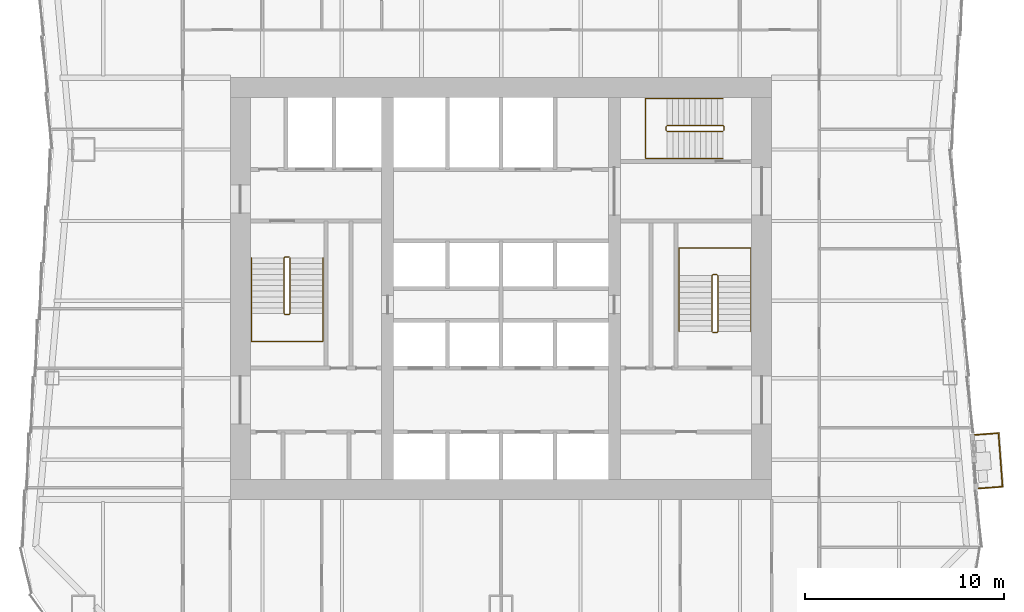
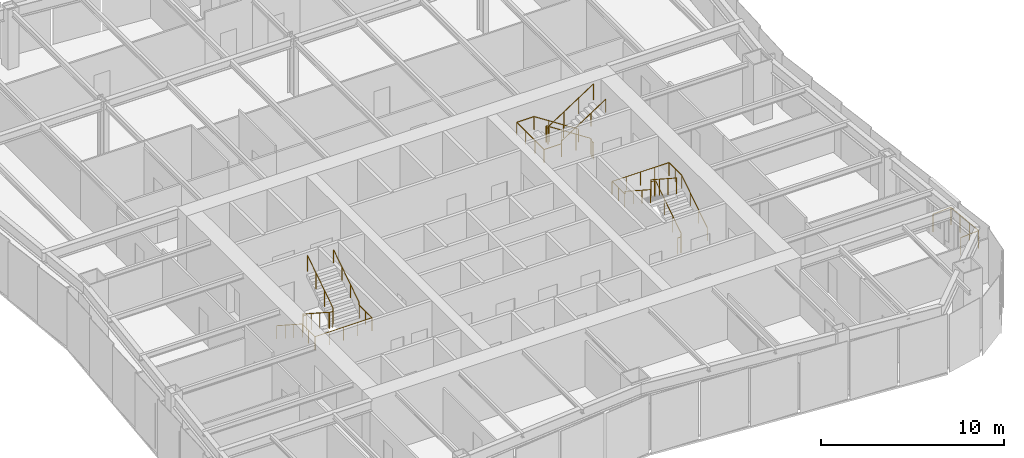
# One storey, part 8 of 9: 7 railings.
"""IFC4 building model written with IfcOpenShell, lengths in metres."""

from ifc_helpers import new_model, si_unit, direction, frame, origin, origin_2d, place, context, subcontext, project, spatial, circle, extrude, material, type_object, element, save


model = new_model("IFC4")

# Units and contexts
model_context = context("Model", 3, precision=1e-05, world=origin(), true_north=direction((0.0, 1.0)))
body_context = subcontext(model_context, "Body", "Model", "MODEL_VIEW")
ifc_project = project(units=[si_unit("LENGTHUNIT", "METRE"), si_unit("AREAUNIT", "SQUARE_METRE"), si_unit("VOLUMEUNIT", "CUBIC_METRE"), si_unit("PLANEANGLEUNIT", "RADIAN"), si_unit("MASSUNIT", "GRAM", prefix="KILO")], contexts=[model_context])

# Site, building, storey
site_placement = place(None, origin())
site = spatial("IfcSite", under=ifc_project, at=site_placement, CompositionType="ELEMENT")
building_placement = place(site_placement, origin())
building = spatial("IfcBuilding", under=site, at=building_placement, Name="Verdant Reach Tower", CompositionType="ELEMENT")
storey_placement = place(building_placement, frame((0.0, 0.0, 130.0)))
storey = spatial("IfcBuildingStorey", under=building, at=storey_placement, Name="L29", CompositionType="ELEMENT", Elevation=130.0)

# Railings
ifc_material_1 = material(Name="Stainless steel", Category="steel")
railing_type_1 = type_object("IfcRailingType", Name="CO-GUARD", PredefinedType="GUARDRAIL", material=ifc_material_1)
railing_1_placement = place(storey_placement, frame((-10.64990234375, 29.60009765625, 0.0)))
element("IfcRailing", 1, at=railing_1_placement, inside=storey, type_object=railing_type_1, Name="L29 ST-1 stair guard 1", PredefinedType="GUARDRAIL", context=body_context, shape_type="SweptSolid", body=[
    extrude(circle(Radius=0.02392578125, at=origin_2d()), frame((0.0, 0.0, 1.076171875), z_axis=(-1.0, 0.0, 0.0), x_axis=(0.0, -1.0, 0.0)), (0.0, 0.0, 1.0), 0.2001953125),
    extrude(circle(Radius=0.02392578125, at=origin_2d()), frame((-0.2001953125, 0.0, 1.076171875), z_axis=(-0.25526617399, -0.256517478764, 0.932222056972), x_axis=(0.708833529934, -0.705375805398, 0.0)), (0.0, 0.0, 1.0), 0.195068359375),
    extrude(circle(Radius=0.02392578125, at=origin_2d()), frame((-0.25, -0.050048828125, 1.2578125), z_axis=(0.0, -0.838705829183, 0.544584733623), x_axis=(1.0, 0.0, 0.0)), (0.0, 0.0, 1.0), 3.338623046875),
    extrude(circle(Radius=0.02392578125, at=origin_2d()), frame((-0.25, -2.85009765625, 3.076171875), z_axis=(0.705375805398, -0.708833529934, 0.0), x_axis=(0.708833529934, 0.705375805398, 0.0)), (0.0, 0.0, 1.0), 0.070556640625),
    extrude(circle(Radius=0.02392578125, at=origin_2d()), frame((-0.2001953125, -2.900146484375, 3.076171875), z_axis=(1.0, 0.0, 0.0), x_axis=(0.0, 1.0, 0.0)), (0.0, 0.0, 1.0), 0.2001953125),
    extrude(circle(Radius=0.02392578125, at=origin_2d()), frame((0.0, -2.900146484375, 3.076171875), z_axis=(0.25526617399, 0.256517478764, 0.932222056972), x_axis=(-0.708833529934, 0.705375805398, 0.0)), (0.0, 0.0, 1.0), 0.195068359375),
    extrude(circle(Radius=0.02392578125, at=origin_2d()), frame((0.0498046875, -2.85009765625, 3.2578125), z_axis=(0.0, 0.838705829183, 0.544584733623), x_axis=(-1.0, 0.0, 0.0)), (0.0, 0.0, 1.0), 3.338623046875),
    extrude(circle(Radius=0.02099609375, at=origin_2d()), origin(), (0.0, 0.0, 1.0), 1.052001953125),
    extrude(circle(Radius=0.02099609375, at=origin_2d()), frame((-0.2001953125, 0.0, 0.0)), (0.0, 0.0, 1.0), 1.052001953125),
    extrude(circle(Radius=0.02099609375, at=origin_2d()), frame((-0.25, -0.050048828125, 0.181884765625)), (0.0, 0.0, 1.0), 1.052001953125),
    extrude(circle(Radius=0.02099609375, at=origin_2d()), frame((-0.25, -0.9833984375, 0.787841796875)), (0.0, 0.0, 1.0), 1.052001953125),
    extrude(circle(Radius=0.02099609375, at=origin_2d()), frame((-0.25, -1.916748046875, 1.39404296875)), (0.0, 0.0, 1.0), 1.052001953125),
    extrude(circle(Radius=0.02099609375, at=origin_2d()), frame((-0.25, -2.85009765625, 2.0)), (0.0, 0.0, 1.0), 1.052001953125),
    extrude(circle(Radius=0.02099609375, at=origin_2d()), frame((-0.2001953125, -2.900146484375, 2.0)), (0.0, 0.0, 1.0), 1.052001953125),
    extrude(circle(Radius=0.02099609375, at=origin_2d()), frame((0.0, -2.900146484375, 2.0)), (0.0, 0.0, 1.0), 1.052001953125),
    extrude(circle(Radius=0.02099609375, at=origin_2d()), frame((0.0498046875, -2.85009765625, 2.181884765625)), (0.0, 0.0, 1.0), 1.052001953125),
    extrude(circle(Radius=0.02099609375, at=origin_2d()), frame((0.0498046875, -1.916748046875, 2.787841796875)), (0.0, 0.0, 1.0), 1.052001953125),
    extrude(circle(Radius=0.02099609375, at=origin_2d()), frame((0.0498046875, -0.9833984375, 3.39404296875)), (0.0, 0.0, 1.0), 1.052001953125),
    extrude(circle(Radius=0.02099609375, at=origin_2d()), frame((0.0498046875, -0.050048828125, 4.0)), (0.0, 0.0, 1.0), 1.052001953125),
])
railing_2_placement = place(storey_placement, frame((10.64990234375, 25.800048828125, 0.0)))
element("IfcRailing", 2, at=railing_2_placement, inside=storey, type_object=railing_type_1, Name="L29 ST-2 stair guard 1", PredefinedType="GUARDRAIL", context=body_context, shape_type="SweptSolid", body=[
    extrude(circle(Radius=0.02392578125, at=origin_2d()), frame((0.0, 0.0, 1.076171875), z_axis=(1.0, 0.0, 0.0), x_axis=(0.0, 1.0, 0.0)), (0.0, 0.0, 1.0), 0.2001953125),
    extrude(circle(Radius=0.02392578125, at=origin_2d()), frame((0.2001953125, 0.0, 1.076171875), z_axis=(0.25526617399, 0.256517478764, 0.932222056972), x_axis=(-0.708833529934, 0.705375805398, 0.0)), (0.0, 0.0, 1.0), 0.195068359375),
    extrude(circle(Radius=0.02392578125, at=origin_2d()), frame((0.25, 0.050048828125, 1.2578125), z_axis=(0.0, 0.83868413941, 0.544618136222), x_axis=(-1.0, 0.0, 0.0)), (0.0, 0.0, 1.0), 3.33837890625),
    extrude(circle(Radius=0.02392578125, at=origin_2d()), frame((0.25, 2.849853515625, 3.076171875), z_axis=(-0.705375805398, 0.708833529934, 0.0), x_axis=(-0.708833529934, -0.705375805398, 0.0)), (0.0, 0.0, 1.0), 0.070556640625),
    extrude(circle(Radius=0.02392578125, at=origin_2d()), frame((0.2001953125, 2.89990234375, 3.076171875), z_axis=(-1.0, 0.0, 0.0), x_axis=(0.0, -1.0, 0.0)), (0.0, 0.0, 1.0), 0.2001953125),
    extrude(circle(Radius=0.02392578125, at=origin_2d()), frame((0.0, 2.89990234375, 3.076171875), z_axis=(-0.25526617399, -0.256517478764, 0.932222056972), x_axis=(0.708833529934, -0.705375805398, 0.0)), (0.0, 0.0, 1.0), 0.195068359375),
    extrude(circle(Radius=0.02392578125, at=origin_2d()), frame((-0.0498046875, 2.849853515625, 3.2578125), z_axis=(0.0, -0.83868413941, 0.544618136222), x_axis=(1.0, 0.0, 0.0)), (0.0, 0.0, 1.0), 3.33837890625),
    extrude(circle(Radius=0.02099609375, at=origin_2d()), origin(), (0.0, 0.0, 1.0), 1.052001953125),
    extrude(circle(Radius=0.02099609375, at=origin_2d()), frame((0.2001953125, 0.0, 0.0)), (0.0, 0.0, 1.0), 1.052001953125),
    extrude(circle(Radius=0.02099609375, at=origin_2d()), frame((0.25, 0.050048828125, 0.181884765625)), (0.0, 0.0, 1.0), 1.052001953125),
    extrude(circle(Radius=0.02099609375, at=origin_2d()), frame((0.25, 0.9833984375, 0.787841796875)), (0.0, 0.0, 1.0), 1.052001953125),
    extrude(circle(Radius=0.02099609375, at=origin_2d()), frame((0.25, 1.91650390625, 1.39404296875)), (0.0, 0.0, 1.0), 1.052001953125),
    extrude(circle(Radius=0.02099609375, at=origin_2d()), frame((0.25, 2.849853515625, 2.0)), (0.0, 0.0, 1.0), 1.052001953125),
    extrude(circle(Radius=0.02099609375, at=origin_2d()), frame((0.2001953125, 2.89990234375, 2.0)), (0.0, 0.0, 1.0), 1.052001953125),
    extrude(circle(Radius=0.02099609375, at=origin_2d()), frame((0.0, 2.89990234375, 2.0)), (0.0, 0.0, 1.0), 1.052001953125),
    extrude(circle(Radius=0.02099609375, at=origin_2d()), frame((-0.0498046875, 2.849853515625, 2.181884765625)), (0.0, 0.0, 1.0), 1.052001953125),
    extrude(circle(Radius=0.02099609375, at=origin_2d()), frame((-0.0498046875, 1.91650390625, 2.787841796875)), (0.0, 0.0, 1.0), 1.052001953125),
    extrude(circle(Radius=0.02099609375, at=origin_2d()), frame((-0.0498046875, 0.9833984375, 3.39404296875)), (0.0, 0.0, 1.0), 1.052001953125),
    extrude(circle(Radius=0.02099609375, at=origin_2d()), frame((-0.0498046875, 0.050048828125, 4.0)), (0.0, 0.0, 1.0), 1.052001953125),
])
railing_3_placement = place(storey_placement, frame((11.199951171875, 35.949951171875, 0.0)))
element("IfcRailing", 3, at=railing_3_placement, inside=storey, type_object=railing_type_1, Name="L29 ST-3 stair guard 1", PredefinedType="GUARDRAIL", context=body_context, shape_type="SweptSolid", body=[
    extrude(circle(Radius=0.02392578125, at=origin_2d()), frame((0.0, 0.0, 1.076171875), z_axis=(0.0, 1.0, 0.0), x_axis=(-1.0, 0.0, 0.0)), (0.0, 0.0, 1.0), 0.199951171875),
    extrude(circle(Radius=0.02392578125, at=origin_2d()), frame((0.0, 0.199951171875, 1.076171875), z_axis=(-0.256435381639, 0.256435381639, 0.931923704005), x_axis=(-0.707106781187, -0.707106781187, 0.0)), (0.0, 0.0, 1.0), 0.195068359375),
    extrude(circle(Radius=0.02392578125, at=origin_2d()), frame((-0.050048828125, 0.25, 1.2578125), z_axis=(-0.83868413941, 0.0, 0.544618136222), x_axis=(0.0, -1.0, 0.0)), (0.0, 0.0, 1.0), 3.33837890625),
    extrude(circle(Radius=0.02392578125, at=origin_2d()), frame((-2.849853515625, 0.25, 3.076171875), z_axis=(-0.707106781187, -0.707106781187, 0.0), x_axis=(0.707106781187, -0.707106781187, 0.0)), (0.0, 0.0, 1.0), 0.07080078125),
    extrude(circle(Radius=0.02392578125, at=origin_2d()), frame((-2.89990234375, 0.199951171875, 3.076171875), z_axis=(0.0, -1.0, 0.0), x_axis=(1.0, 0.0, 0.0)), (0.0, 0.0, 1.0), 0.199951171875),
    extrude(circle(Radius=0.02392578125, at=origin_2d()), frame((-2.89990234375, 0.0, 3.076171875), z_axis=(0.256435381639, -0.256435381639, 0.931923704005), x_axis=(0.707106781187, 0.707106781187, 0.0)), (0.0, 0.0, 1.0), 0.195068359375),
    extrude(circle(Radius=0.02392578125, at=origin_2d()), frame((-2.849853515625, -0.050048828125, 3.2578125), z_axis=(0.83868413941, 0.0, 0.544618136222), x_axis=(0.0, 1.0, 0.0)), (0.0, 0.0, 1.0), 3.33837890625),
    extrude(circle(Radius=0.02099609375, at=origin_2d()), origin(), (0.0, 0.0, 1.0), 1.052001953125),
    extrude(circle(Radius=0.02099609375, at=origin_2d()), frame((0.0, 0.199951171875, 0.0)), (0.0, 0.0, 1.0), 1.052001953125),
    extrude(circle(Radius=0.02099609375, at=origin_2d()), frame((-0.050048828125, 0.25, 0.181884765625)), (0.0, 0.0, 1.0), 1.052001953125),
    extrude(circle(Radius=0.02099609375, at=origin_2d()), frame((-0.9833984375, 0.25, 0.787841796875)), (0.0, 0.0, 1.0), 1.052001953125),
    extrude(circle(Radius=0.02099609375, at=origin_2d()), frame((-1.91650390625, 0.25, 1.39404296875)), (0.0, 0.0, 1.0), 1.052001953125),
    extrude(circle(Radius=0.02099609375, at=origin_2d()), frame((-2.849853515625, 0.25, 2.0)), (0.0, 0.0, 1.0), 1.052001953125),
    extrude(circle(Radius=0.02099609375, at=origin_2d()), frame((-2.89990234375, 0.199951171875, 2.0)), (0.0, 0.0, 1.0), 1.052001953125),
    extrude(circle(Radius=0.02099609375, at=origin_2d()), frame((-2.89990234375, 0.0, 2.0)), (0.0, 0.0, 1.0), 1.052001953125),
    extrude(circle(Radius=0.02099609375, at=origin_2d()), frame((-2.849853515625, -0.050048828125, 2.181884765625)), (0.0, 0.0, 1.0), 1.052001953125),
    extrude(circle(Radius=0.02099609375, at=origin_2d()), frame((-1.91650390625, -0.050048828125, 2.787841796875)), (0.0, 0.0, 1.0), 1.052001953125),
    extrude(circle(Radius=0.02099609375, at=origin_2d()), frame((-0.9833984375, -0.050048828125, 3.39404296875)), (0.0, 0.0, 1.0), 1.052001953125),
    extrude(circle(Radius=0.02099609375, at=origin_2d()), frame((-0.050048828125, -0.050048828125, 4.0)), (0.0, 0.0, 1.0), 1.052001953125),
])
railing_type_2 = type_object("IfcRailingType", Name="CO-HANDRAIL", PredefinedType="HANDRAIL", material=ifc_material_1)
railing_4_placement = place(storey_placement, frame((-12.550048828125, 29.550048828125, 0.181884765625)))
element("IfcRailing", 4, at=railing_4_placement, inside=storey, type_object=railing_type_2, Name="L29 ST-1 stair handrail 1", PredefinedType="HANDRAIL", context=body_context, shape_type="SweptSolid", body=[
    extrude(circle(Radius=0.02392578125, at=origin_2d()), frame((0.0, 0.0, 0.8759765625), z_axis=(0.0, -0.838705829183, 0.544584733623), x_axis=(1.0, 0.0, 0.0)), (0.0, 0.0, 1.0), 3.338623046875),
    extrude(circle(Radius=0.02392578125, at=origin_2d()), frame((0.0, -2.800048828125, 2.69384765625), z_axis=(0.0, -1.0, 0.0), x_axis=(1.0, 0.0, 0.0)), (0.0, 0.0, 1.0), 1.39990234375),
    extrude(circle(Radius=0.02392578125, at=origin_2d()), frame((0.0, -4.199951171875, 2.69384765625), z_axis=(1.0, 0.0, 0.0), x_axis=(0.0, 1.0, 0.0)), (0.0, 0.0, 1.0), 3.60009765625),
    extrude(circle(Radius=0.02392578125, at=origin_2d()), frame((3.60009765625, -4.199951171875, 2.69384765625), z_axis=(0.0, 1.0, 0.0), x_axis=(-1.0, 0.0, 0.0)), (0.0, 0.0, 1.0), 1.39990234375),
    extrude(circle(Radius=0.02392578125, at=origin_2d()), frame((3.60009765625, -2.800048828125, 2.69384765625), z_axis=(0.0, 0.0, 1.0), x_axis=(1.0, 0.0, 0.0)), (0.0, 0.0, 1.0), 0.181884765625),
    extrude(circle(Radius=0.02392578125, at=origin_2d()), frame((3.60009765625, -2.800048828125, 2.8759765625), z_axis=(0.0, 0.838705829183, 0.544584733623), x_axis=(-1.0, 0.0, 0.0)), (0.0, 0.0, 1.0), 3.338623046875),
    extrude(circle(Radius=0.02099609375, at=origin_2d()), origin(), (0.0, 0.0, 1.0), 0.851806640625),
    extrude(circle(Radius=0.02099609375, at=origin_2d()), frame((0.0, -0.933349609375, 0.60595703125)), (0.0, 0.0, 1.0), 0.851806640625),
    extrude(circle(Radius=0.02099609375, at=origin_2d()), frame((0.0, -1.86669921875, 1.212158203125)), (0.0, 0.0, 1.0), 0.851806640625),
    extrude(circle(Radius=0.02099609375, at=origin_2d()), frame((0.0, -2.800048828125, 1.818115234375)), (0.0, 0.0, 1.0), 0.851806640625),
    extrude(circle(Radius=0.02099609375, at=origin_2d()), frame((0.0, -3.5, 1.818115234375)), (0.0, 0.0, 1.0), 0.851806640625),
    extrude(circle(Radius=0.02099609375, at=origin_2d()), frame((0.0, -4.199951171875, 1.818115234375)), (0.0, 0.0, 1.0), 0.851806640625),
    extrude(circle(Radius=0.02099609375, at=origin_2d()), frame((0.89990234375, -4.199951171875, 1.818115234375)), (0.0, 0.0, 1.0), 0.851806640625),
    extrude(circle(Radius=0.02099609375, at=origin_2d()), frame((1.800048828125, -4.199951171875, 1.818115234375)), (0.0, 0.0, 1.0), 0.851806640625),
    extrude(circle(Radius=0.02099609375, at=origin_2d()), frame((2.7001953125, -4.199951171875, 1.818115234375)), (0.0, 0.0, 1.0), 0.851806640625),
    extrude(circle(Radius=0.02099609375, at=origin_2d()), frame((3.60009765625, -4.199951171875, 1.818115234375)), (0.0, 0.0, 1.0), 0.851806640625),
    extrude(circle(Radius=0.02099609375, at=origin_2d()), frame((3.60009765625, -3.5, 1.818115234375)), (0.0, 0.0, 1.0), 0.851806640625),
    extrude(circle(Radius=0.02099609375, at=origin_2d()), frame((3.60009765625, -2.800048828125, 1.818115234375)), (0.0, 0.0, 1.0), 0.851806640625),
    extrude(circle(Radius=0.02099609375, at=origin_2d()), frame((3.60009765625, -2.800048828125, 2.0)), (0.0, 0.0, 1.0), 0.851806640625),
    extrude(circle(Radius=0.02099609375, at=origin_2d()), frame((3.60009765625, -1.86669921875, 2.60595703125)), (0.0, 0.0, 1.0), 0.851806640625),
    extrude(circle(Radius=0.02099609375, at=origin_2d()), frame((3.60009765625, -0.933349609375, 3.212158203125)), (0.0, 0.0, 1.0), 0.851806640625),
    extrude(circle(Radius=0.02099609375, at=origin_2d()), frame((3.60009765625, 0.0, 3.818115234375)), (0.0, 0.0, 1.0), 0.851806640625),
])
railing_5_placement = place(storey_placement, frame((12.550048828125, 25.85009765625, 0.181884765625)))
element("IfcRailing", 5, at=railing_5_placement, inside=storey, type_object=railing_type_2, Name="L29 ST-2 stair handrail 1", PredefinedType="HANDRAIL", context=body_context, shape_type="SweptSolid", body=[
    extrude(circle(Radius=0.02392578125, at=origin_2d()), frame((0.0, 0.0, 0.8759765625), z_axis=(0.0, 0.83868413941, 0.544618136222), x_axis=(-1.0, 0.0, 0.0)), (0.0, 0.0, 1.0), 3.33837890625),
    extrude(circle(Radius=0.02392578125, at=origin_2d()), frame((0.0, 2.7998046875, 2.69384765625), z_axis=(0.0, 1.0, 0.0), x_axis=(-1.0, 0.0, 0.0)), (0.0, 0.0, 1.0), 1.400146484375),
    extrude(circle(Radius=0.02392578125, at=origin_2d()), frame((0.0, 4.199951171875, 2.69384765625), z_axis=(-1.0, 0.0, 0.0), x_axis=(0.0, -1.0, 0.0)), (0.0, 0.0, 1.0), 3.60009765625),
    extrude(circle(Radius=0.02392578125, at=origin_2d()), frame((-3.60009765625, 4.199951171875, 2.69384765625), z_axis=(0.0, -1.0, 0.0), x_axis=(1.0, 0.0, 0.0)), (0.0, 0.0, 1.0), 1.400146484375),
    extrude(circle(Radius=0.02392578125, at=origin_2d()), frame((-3.60009765625, 2.7998046875, 2.69384765625), z_axis=(0.0, 0.0, 1.0), x_axis=(1.0, 0.0, 0.0)), (0.0, 0.0, 1.0), 0.181884765625),
    extrude(circle(Radius=0.02392578125, at=origin_2d()), frame((-3.60009765625, 2.7998046875, 2.8759765625), z_axis=(0.0, -0.83868413941, 0.544618136222), x_axis=(1.0, 0.0, 0.0)), (0.0, 0.0, 1.0), 3.33837890625),
    extrude(circle(Radius=0.02099609375, at=origin_2d()), origin(), (0.0, 0.0, 1.0), 0.851806640625),
    extrude(circle(Radius=0.02099609375, at=origin_2d()), frame((0.0, 0.933349609375, 0.60595703125)), (0.0, 0.0, 1.0), 0.851806640625),
    extrude(circle(Radius=0.02099609375, at=origin_2d()), frame((0.0, 1.866455078125, 1.212158203125)), (0.0, 0.0, 1.0), 0.851806640625),
    extrude(circle(Radius=0.02099609375, at=origin_2d()), frame((0.0, 2.7998046875, 1.818115234375)), (0.0, 0.0, 1.0), 0.851806640625),
    extrude(circle(Radius=0.02099609375, at=origin_2d()), frame((0.0, 3.5, 1.818115234375)), (0.0, 0.0, 1.0), 0.851806640625),
    extrude(circle(Radius=0.02099609375, at=origin_2d()), frame((0.0, 4.199951171875, 1.818115234375)), (0.0, 0.0, 1.0), 0.851806640625),
    extrude(circle(Radius=0.02099609375, at=origin_2d()), frame((-0.89990234375, 4.199951171875, 1.818115234375)), (0.0, 0.0, 1.0), 0.851806640625),
    extrude(circle(Radius=0.02099609375, at=origin_2d()), frame((-1.800048828125, 4.199951171875, 1.818115234375)), (0.0, 0.0, 1.0), 0.851806640625),
    extrude(circle(Radius=0.02099609375, at=origin_2d()), frame((-2.7001953125, 4.199951171875, 1.818115234375)), (0.0, 0.0, 1.0), 0.851806640625),
    extrude(circle(Radius=0.02099609375, at=origin_2d()), frame((-3.60009765625, 4.199951171875, 1.818115234375)), (0.0, 0.0, 1.0), 0.851806640625),
    extrude(circle(Radius=0.02099609375, at=origin_2d()), frame((-3.60009765625, 3.5, 1.818115234375)), (0.0, 0.0, 1.0), 0.851806640625),
    extrude(circle(Radius=0.02099609375, at=origin_2d()), frame((-3.60009765625, 2.7998046875, 1.818115234375)), (0.0, 0.0, 1.0), 0.851806640625),
    extrude(circle(Radius=0.02099609375, at=origin_2d()), frame((-3.60009765625, 2.7998046875, 2.0)), (0.0, 0.0, 1.0), 0.851806640625),
    extrude(circle(Radius=0.02099609375, at=origin_2d()), frame((-3.60009765625, 1.866455078125, 2.60595703125)), (0.0, 0.0, 1.0), 0.851806640625),
    extrude(circle(Radius=0.02099609375, at=origin_2d()), frame((-3.60009765625, 0.933349609375, 3.212158203125)), (0.0, 0.0, 1.0), 0.851806640625),
    extrude(circle(Radius=0.02099609375, at=origin_2d()), frame((-3.60009765625, 0.0, 3.818115234375)), (0.0, 0.0, 1.0), 0.851806640625),
])
railing_6_placement = place(storey_placement, frame((11.14990234375, 37.550048828125, 0.181884765625)))
element("IfcRailing", 6, at=railing_6_placement, inside=storey, type_object=railing_type_2, Name="L29 ST-3 stair handrail 1", PredefinedType="HANDRAIL", context=body_context, shape_type="SweptSolid", body=[
    extrude(circle(Radius=0.02392578125, at=origin_2d()), frame((0.0, 0.0, 0.8759765625), z_axis=(-0.83868413941, 0.0, 0.544618136222), x_axis=(0.0, -1.0, 0.0)), (0.0, 0.0, 1.0), 3.33837890625),
    extrude(circle(Radius=0.02392578125, at=origin_2d()), frame((-2.7998046875, 0.0, 2.69384765625), z_axis=(-1.0, 0.0, 0.0), x_axis=(0.0, -1.0, 0.0)), (0.0, 0.0, 1.0), 1.10009765625),
    extrude(circle(Radius=0.02392578125, at=origin_2d()), frame((-3.89990234375, 0.0, 2.69384765625), z_axis=(0.0, -1.0, 0.0), x_axis=(1.0, 0.0, 0.0)), (0.0, 0.0, 1.0), 3.0),
    extrude(circle(Radius=0.02392578125, at=origin_2d()), frame((-3.89990234375, -3.0, 2.69384765625), z_axis=(1.0, 0.0, 0.0), x_axis=(0.0, 1.0, 0.0)), (0.0, 0.0, 1.0), 1.10009765625),
    extrude(circle(Radius=0.02392578125, at=origin_2d()), frame((-2.7998046875, -3.0, 2.69384765625), z_axis=(0.0, 0.0, 1.0), x_axis=(1.0, 0.0, 0.0)), (0.0, 0.0, 1.0), 0.181884765625),
    extrude(circle(Radius=0.02392578125, at=origin_2d()), frame((-2.7998046875, -3.0, 2.8759765625), z_axis=(0.83868413941, 0.0, 0.544618136222), x_axis=(0.0, 1.0, 0.0)), (0.0, 0.0, 1.0), 3.33837890625),
    extrude(circle(Radius=0.02099609375, at=origin_2d()), origin(), (0.0, 0.0, 1.0), 0.851806640625),
    extrude(circle(Radius=0.02099609375, at=origin_2d()), frame((-0.933349609375, 0.0, 0.60595703125)), (0.0, 0.0, 1.0), 0.851806640625),
    extrude(circle(Radius=0.02099609375, at=origin_2d()), frame((-1.866455078125, 0.0, 1.212158203125)), (0.0, 0.0, 1.0), 0.851806640625),
    extrude(circle(Radius=0.02099609375, at=origin_2d()), frame((-2.7998046875, 0.0, 1.818115234375)), (0.0, 0.0, 1.0), 0.851806640625),
    extrude(circle(Radius=0.02099609375, at=origin_2d()), frame((-3.89990234375, 0.0, 1.818115234375)), (0.0, 0.0, 1.0), 0.851806640625),
    extrude(circle(Radius=0.02099609375, at=origin_2d()), frame((-3.89990234375, -1.0, 1.818115234375)), (0.0, 0.0, 1.0), 0.851806640625),
    extrude(circle(Radius=0.02099609375, at=origin_2d()), frame((-3.89990234375, -2.0, 1.818115234375)), (0.0, 0.0, 1.0), 0.851806640625),
    extrude(circle(Radius=0.02099609375, at=origin_2d()), frame((-3.89990234375, -3.0, 1.818115234375)), (0.0, 0.0, 1.0), 0.851806640625),
    extrude(circle(Radius=0.02099609375, at=origin_2d()), frame((-2.7998046875, -3.0, 1.818115234375)), (0.0, 0.0, 1.0), 0.851806640625),
    extrude(circle(Radius=0.02099609375, at=origin_2d()), frame((-2.7998046875, -3.0, 2.0)), (0.0, 0.0, 1.0), 0.851806640625),
    extrude(circle(Radius=0.02099609375, at=origin_2d()), frame((-1.866455078125, -3.0, 2.60595703125)), (0.0, 0.0, 1.0), 0.851806640625),
    extrude(circle(Radius=0.02099609375, at=origin_2d()), frame((-0.933349609375, -3.0, 3.212158203125)), (0.0, 0.0, 1.0), 0.851806640625),
    extrude(circle(Radius=0.02099609375, at=origin_2d()), frame((0.0, -3.0, 3.818115234375)), (0.0, 0.0, 1.0), 0.851806640625),
])
ifc_material_2 = material(Name="Stainless steel and laminated glass balustrade", Category="steel")
railing_type_3 = type_object("IfcRailingType", Name="EN-RAILING BALCONY", PredefinedType="GUARDRAIL", material=ifc_material_2)
railing_7_placement = place(storey_placement, frame((24.02099609375, 17.95703125, 0.0)))
element("IfcRailing", 7, at=railing_7_placement, inside=storey, type_object=railing_type_3, Name="Balcony guard 1, L29", PredefinedType="GUARDRAIL", context=body_context, shape_type="SweptSolid", body=[
    extrude(circle(Radius=0.02490234375, at=origin_2d()), frame((0.0, 0.0, 1.1748046875), z_axis=(0.997197776878, 0.07481038557, 0.0), x_axis=(-0.07481038557, 0.997197776878, 0.0)), (0.0, 0.0, 1.0), 1.18798828125),
    extrude(circle(Radius=0.02490234375, at=origin_2d()), frame((1.1845703125, 0.0888671875, 1.1748046875), z_axis=(-0.074747256095, 0.99720251088, 0.0), x_axis=(-0.99720251088, -0.074747256095, 0.0)), (0.0, 0.0, 1.0), 2.701171875),
    extrude(circle(Radius=0.02490234375, at=origin_2d()), frame((0.982666015625, 2.782470703125, 1.1748046875), z_axis=(-0.997198926754, -0.07479505653, 0.0), x_axis=(0.07479505653, -0.997198926754, 0.0)), (0.0, 0.0, 1.0), 1.188232421875),
    extrude(circle(Radius=0.02490234375, at=origin_2d()), origin(), (0.0, 0.0, 1.0), 1.14990234375),
    extrude(circle(Radius=0.02490234375, at=origin_2d()), frame((1.1845703125, 0.0888671875, 0.0)), (0.0, 0.0, 1.0), 1.14990234375),
    extrude(circle(Radius=0.02490234375, at=origin_2d()), frame((1.1171875, 0.98681640625, 0.0)), (0.0, 0.0, 1.0), 1.14990234375),
    extrude(circle(Radius=0.02490234375, at=origin_2d()), frame((1.050048828125, 1.884521484375, 0.0)), (0.0, 0.0, 1.0), 1.14990234375),
    extrude(circle(Radius=0.02490234375, at=origin_2d()), frame((0.982666015625, 2.782470703125, 0.0)), (0.0, 0.0, 1.0), 1.14990234375),
    extrude(circle(Radius=0.02490234375, at=origin_2d()), frame((-0.2021484375, 2.693603515625, 0.0)), (0.0, 0.0, 1.0), 1.14990234375),
])

save(model, "model.ifc")
